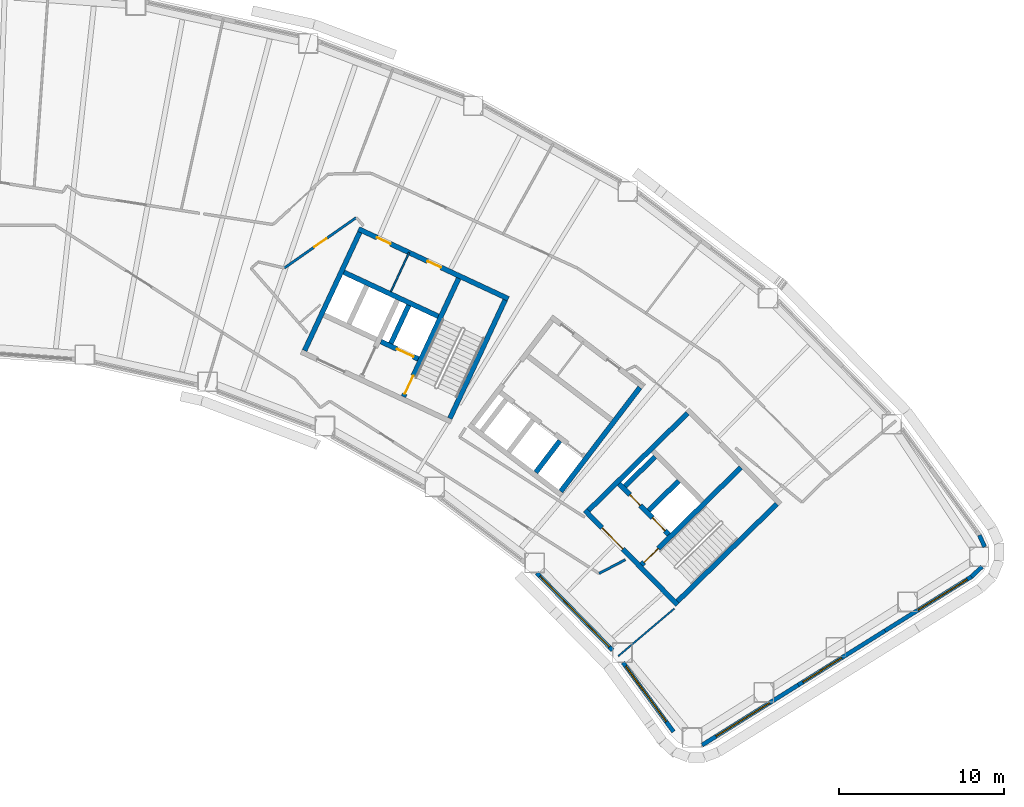
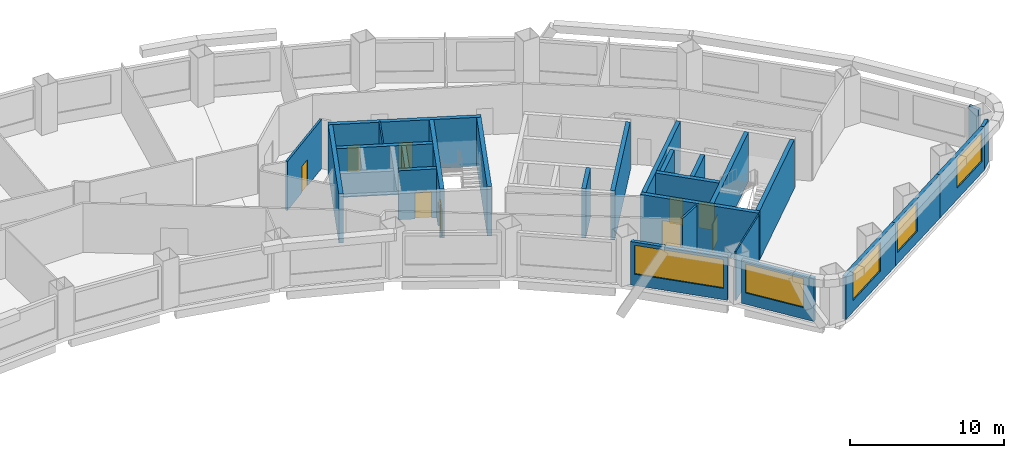
# One storey, part 6 of 11: 27 walls, 9 doors, 5 windows, 14 openings.
"""IFC4 building model written with IfcOpenShell, lengths in metres."""

import ifcopenshell
import ifcopenshell.guid

model = None  # the IFC model being written
_history = None  # IfcOwnerHistory: only IFC2X3 demands one
_inside = {}  # id of a spatial element -> (the spatial element, [elements in it])
_under = {}  # id of a project, library or spatial element -> (it, [spatial elements below it])
_declared = {}  # id of a project -> (the project, [libraries it declares])
_typed = {}  # id of a type object -> (the type object, [elements of that type])
_made_of = {}  # id of a material, layer set ... -> (it, [elements and type objects made of it])


def new_model(schema):
    """Start an empty IFC model of exactly this schema.

    Asked for "IFC4X3", IfcOpenShell would pick the latest addendum, in which some entities
    have other attributes; the version numbers below select the first issue.
    IFC2X3 requires an IfcOwnerHistory on every rooted entity: one is made here for all.
    """
    global model, _history
    if schema == "IFC4X3":
        model = ifcopenshell.file(schema_version=(4, 3, 0, 0))
    else:
        model = ifcopenshell.file(schema=schema)
    _inside.clear()
    _under.clear()
    _declared.clear()
    _typed.clear()
    _made_of.clear()
    _history = None
    if model.schema == "IFC2X3":
        org = make("IfcOrganization", Name="unknown")
        user = make(
            "IfcPersonAndOrganization",
            ThePerson=make("IfcPerson", FamilyName="unknown"),
            TheOrganization=org,
        )
        app = make(
            "IfcApplication",
            ApplicationDeveloper=org,
            Version="unknown",
            ApplicationFullName="unknown",
            ApplicationIdentifier="unknown",
        )
        _history = make(
            "IfcOwnerHistory",
            OwningUser=user,
            OwningApplication=app,
            ChangeAction="ADDED",
            CreationDate=0,
        )
    return model


def make(cls, **values):
    """One entity of the class cls with the attributes given. An attribute that is None is left unset."""
    return model.create_entity(
        cls, **{name: value for name, value in values.items() if value is not None}
    )


def rooted(cls, **values):
    """An entity with a GlobalId (a new one), such as an element, a storey or a relation."""
    return make(cls, GlobalId=ifcopenshell.guid.new(), OwnerHistory=_history, **values)


def si_unit(unit_type, name, prefix=None):
    """IfcSIUnit, for example si_unit("LENGTHUNIT", "METRE", prefix="MILLI")."""
    return make("IfcSIUnit", UnitType=unit_type, Prefix=prefix, Name=name)


def assignment(units):
    """IfcUnitAssignment: the units of a project."""
    return None if units is None else make("IfcUnitAssignment", Units=units)


def point(xyz):
    """IfcCartesianPoint."""
    return None if xyz is None else make("IfcCartesianPoint", Coordinates=xyz)


def direction(xyz):
    """IfcDirection."""
    return None if xyz is None else make("IfcDirection", DirectionRatios=xyz)


def frame(location, z_axis=None, x_axis=None):
    """IfcAxis2Placement3D, a coordinate frame: its origin and axes. An axis left out is left unset."""
    return make(
        "IfcAxis2Placement3D",
        Location=point(location),
        Axis=direction(z_axis),
        RefDirection=direction(x_axis),
    )


def frame_2d(location, x_axis=None):
    """IfcAxis2Placement2D, a coordinate frame in the plane: its origin and x axis."""
    return make(
        "IfcAxis2Placement2D", Location=point(location), RefDirection=direction(x_axis)
    )


def origin():
    """The frame at (0, 0, 0) with its axes left unset."""
    return frame((0.0, 0.0, 0.0))


def place(relative_to, where):
    """IfcLocalPlacement: puts the frame where relative to a parent placement (None: the world)."""
    return make(
        "IfcLocalPlacement", PlacementRelTo=relative_to, RelativePlacement=where
    )


def context(
    kind, dimensions, precision=None, world=None, true_north=None, identifier=None
):
    """IfcGeometricRepresentationContext, for example the 3D "Model" context."""
    return make(
        "IfcGeometricRepresentationContext",
        ContextIdentifier=identifier,
        ContextType=kind,
        CoordinateSpaceDimension=dimensions,
        Precision=precision,
        WorldCoordinateSystem=world,
        TrueNorth=true_north,
    )


def subcontext(parent, identifier, kind, view, scale=None):
    """IfcGeometricRepresentationSubContext, for example "Body" below "Model"."""
    return make(
        "IfcGeometricRepresentationSubContext",
        ContextIdentifier=identifier,
        ContextType=kind,
        ParentContext=parent,
        TargetScale=scale,
        TargetView=view,
    )


def project(units=None, contexts=None):
    """IfcProject with its units and contexts."""
    return rooted(
        "IfcProject",
        Name="project",
        RepresentationContexts=contexts,
        UnitsInContext=assignment(units),
    )


def spatial(cls, under=None, at=None, **own):
    """A site, building, storey or space (cls), placed at a placement, below another one or the project."""
    s = rooted(cls, ObjectPlacement=at, **own)
    if under is not None:
        _under.setdefault(under.id(), (under, []))[1].append(s)
    return s


def profile(cls, at=None, kind="AREA", **sizes):
    """A parametric profile (cls). Its sizes go by their IFC names, for example OverallWidth=200.0."""
    return make(cls, ProfileType=kind, Position=at, **sizes)


def rectangle(**sizes):
    """IfcRectangleProfileDef."""
    return profile("IfcRectangleProfileDef", **sizes)


def extrude(swept, where, along, depth):
    """IfcExtrudedAreaSolid: the profile swept, set in the frame where, extruded along a direction by depth."""
    return make(
        "IfcExtrudedAreaSolid",
        SweptArea=swept,
        Position=where,
        ExtrudedDirection=direction(along),
        Depth=depth,
    )


def shape(context_of_items, identifier, shape_type, items):
    """IfcShapeRepresentation: the items that make up one representation, for example the "Body"."""
    return make(
        "IfcShapeRepresentation",
        ContextOfItems=context_of_items,
        RepresentationIdentifier=identifier,
        RepresentationType=shape_type,
        Items=items,
    )


def material(Name=None, Category=None):
    """IfcMaterial."""
    return make("IfcMaterial", Name=Name, Category=Category)


def layer(
    of_material, thickness, ventilated=None, Name=None, Category=None, Priority=None
):
    """IfcMaterialLayer: one layer of a wall or slab, of a material (None: an air gap)."""
    return make(
        "IfcMaterialLayer",
        Material=of_material,
        LayerThickness=thickness,
        IsVentilated=ventilated,
        Name=Name,
        Category=Category,
        Priority=Priority,
    )


def layer_set(layers, Name=None):
    """IfcMaterialLayerSet."""
    return make("IfcMaterialLayerSet", MaterialLayers=layers, LayerSetName=Name)


def made_of(thing, what):
    """Note that an element or type object is made of a material, layer set ...; save() writes the relation."""
    if what is not None:
        _made_of.setdefault(what.id(), (what, []))[1].append(thing)
    return thing


def type_object(cls, material=None, **own):
    """A type object (cls), such as IfcWallType, which elements share."""
    return made_of(rooted(cls, **own), material)


def element(
    cls,
    number,
    at=None,
    inside=None,
    cuts=None,
    type_object=None,
    material=None,
    context=None,
    identifier="Body",
    shape_type=None,
    held_by="IfcProductDefinitionShape",
    body=None,
    shapes=None,
    **own,
):
    """One element of the class cls, such as IfcWall. Its Tag is "e" and its number.

    at: its placement. inside: the storey or other place that contains it. cuts: it is an
    opening in that element (IfcRelVoidsElement). A single representation is given by context,
    identifier, shape_type and body (its items); several are given by shapes. held_by: the class
    of the entity that holds the representations. save() writes the other relations.
    """
    e = rooted(cls, Tag="e%d" % number, ObjectPlacement=at, **own)
    if body is not None:
        shapes = [shape(context, identifier, shape_type, body)]
    if shapes is not None:
        e.Representation = make(held_by, Representations=shapes)
    if inside is not None:
        _inside.setdefault(inside.id(), (inside, []))[1].append(e)
    if cuts is not None:
        rooted(
            "IfcRelVoidsElement", RelatingBuildingElement=cuts, RelatedOpeningElement=e
        )
    if type_object is not None:
        _typed.setdefault(type_object.id(), (type_object, []))[1].append(e)
    return made_of(e, material)


def fill(opening, filler):
    """IfcRelFillsElement: the door or window that sits in an opening."""
    return rooted(
        "IfcRelFillsElement",
        RelatingOpeningElement=opening,
        RelatedBuildingElement=filler,
    )


def aggregate(whole, parts):
    """IfcRelAggregates: a whole, such as a stair, and the parts it consists of."""
    return rooted("IfcRelAggregates", RelatingObject=whole, RelatedObjects=parts)


def save(model, path):
    """Write the relations noted so far, then the file.

    IfcRelAggregates (storeys below a building ...), IfcRelContainedInSpatialStructure (elements
    in a storey), IfcRelDefinesByType, IfcRelAssociatesMaterial and IfcRelDeclares: one each for
    every whole, place, type object, material and project.
    """
    for whole, parts in _under.values():
        aggregate(whole, parts)
    for where, things in _inside.values():
        rooted(
            "IfcRelContainedInSpatialStructure",
            RelatedElements=things,
            RelatingStructure=where,
        )
    for kind, things in _typed.values():
        rooted("IfcRelDefinesByType", RelatedObjects=things, RelatingType=kind)
    for what, things in _made_of.values():
        rooted("IfcRelAssociatesMaterial", RelatedObjects=things, RelatingMaterial=what)
    for by, libraries in _declared.values():
        rooted("IfcRelDeclares", RelatingContext=by, RelatedDefinitions=libraries)
    model.write(path)


model = new_model("IFC4")

# Units and contexts
model_context = context("Model", 3, precision=1e-05, world=origin(), true_north=direction((0.0, 1.0)))
body_context = subcontext(model_context, "Body", "Model", "MODEL_VIEW")
ifc_project = project(units=[si_unit("LENGTHUNIT", "METRE"), si_unit("AREAUNIT", "SQUARE_METRE"), si_unit("VOLUMEUNIT", "CUBIC_METRE"), si_unit("PLANEANGLEUNIT", "RADIAN"), si_unit("MASSUNIT", "GRAM", prefix="KILO")], contexts=[model_context])

# Site, building, storey
site_placement = place(None, origin())
site = spatial("IfcSite", under=ifc_project, at=site_placement, CompositionType="ELEMENT")
building_placement = place(site_placement, origin())
building = spatial("IfcBuilding", under=site, at=building_placement, Name="Tuul Gate Civic Tower", CompositionType="ELEMENT")
storey_placement = place(building_placement, frame((0.0, 0.0, 69.60009765625)))
storey = spatial("IfcBuildingStorey", under=building, at=storey_placement, Name="Level 15", CompositionType="ELEMENT", Elevation=69.60009765625)

# Wall, opening, door
ifc_material_1 = material(Name="Concrete C50/60", Category="concrete")
ifc_layer_1 = layer(ifc_material_1, 0.300048828125)
ifc_layer_set_1 = layer_set([ifc_layer_1], Name="Concrete C50/60")
wall_type_1 = type_object("IfcWallType", Name="Core wall C50/60", PredefinedType="SHEAR", material=ifc_layer_set_1)
wall_1_placement = place(storey_placement, frame((48.22509765625, -18.327880859375, 0.0), z_axis=(0.0, 0.0, 1.0), x_axis=(-0.700021979774, 0.714121297703, 0.0)))
wall_1 = element("IfcWall", 1, at=wall_1_placement, inside=storey, type_object=wall_type_1, Name="Core wall", PredefinedType="SHEAR", context=body_context, shape_type="SweptSolid", body=[
    extrude(rectangle(XDim=8.0, YDim=0.300048828125, at=frame_2d((4.0, 0.0))), origin(), (0.0, 0.0, 1.0), 3.89990234375),
])
opening_1_placement = place(wall_1_placement, frame((4.72509765625, 0.0, 0.0)))
opening_1 = element("IfcOpeningElement", 2, at=opening_1_placement, cuts=wall_1, Name="Opening LB-E1-LOBBY-1", PredefinedType="OPENING", context=body_context, shape_type="SweptSolid", body=[
    extrude(rectangle(XDim=1.800048828125, YDim=2.10009765625, at=frame_2d((0.89990234375, 1.050048828125))), frame((0.0, 0.16015625, 0.0), z_axis=(0.0, -1.0, 0.0), x_axis=(1.0, 0.0, 0.0)), (0.0, 0.0, 1.0), 0.320068359375),
])
ifc_material_2 = material(Name="Steel", Category="steel")
door_type_1 = type_object("IfcDoorType", Name="Lobby door", OperationType="DOUBLE_DOOR_SINGLE_SWING", PredefinedType="DOOR", material=ifc_material_2)
door_1_placement = place(opening_1_placement, frame((1.800048828125, 0.0, 0.0), z_axis=(0.0, 0.0, 1.0), x_axis=(-1.0, 0.0, 0.0)))
door_1 = element("IfcDoor", 3, at=door_1_placement, inside=storey, type_object=door_type_1, Name="Lobby door E1-LOBBY", OperationType="DOUBLE_DOOR_SINGLE_SWING", OverallHeight=2.10009765625, OverallWidth=1.800048828125, PredefinedType="DOOR", context=body_context, shape_type="SweptSolid", body=[
    extrude(rectangle(XDim=1.800048828125, YDim=2.10009765625, at=frame_2d((0.900146484375, 1.050048828125))), frame((0.0, 0.02490234375, 0.0), z_axis=(0.0, -1.0, 0.0), x_axis=(1.0, 0.0, 0.0)), (0.0, 0.0, 1.0), 0.050048828125),
])
fill(opening_1, door_1)

# Wall, openings, doors
wall_2_placement = place(storey_placement, frame((47.701904296875, -14.079833984375, 0.0), z_axis=(0.0, 0.0, 1.0), x_axis=(-0.700002721075, 0.714140175657, 0.0)))
wall_2 = element("IfcWall", 4, at=wall_2_placement, inside=storey, type_object=wall_type_1, Name="Core wall", PredefinedType="SHEAR", context=body_context, shape_type="SweptSolid", body=[
    extrude(rectangle(XDim=4.300048828125, YDim=0.300048828125, at=frame_2d((2.14990234375, 0.0))), origin(), (0.0, 0.0, 1.0), 3.89990234375),
])
opening_2_placement = place(wall_2_placement, frame((0.324951171875, 0.0, 0.0)))
opening_2 = element("IfcOpeningElement", 5, at=opening_2_placement, cuts=wall_2, Name="Opening LD-L4", PredefinedType="OPENING", context=body_context, shape_type="SweptSolid", body=[
    extrude(rectangle(XDim=1.10009765625, YDim=2.10009765625, at=frame_2d((0.550048828125, 1.050048828125))), frame((0.0, 0.16015625, 0.0), z_axis=(0.0, -1.0, 0.0), x_axis=(1.0, 0.0, 0.0)), (0.0, 0.0, 1.0), 0.320068359375),
])
opening_3_placement = place(wall_2_placement, frame((2.47509765625, 0.0, 0.0)))
opening_3 = element("IfcOpeningElement", 6, at=opening_3_placement, cuts=wall_2, Name="Opening FB-E1A2", PredefinedType="OPENING", context=body_context, shape_type="SweptSolid", body=[
    extrude(rectangle(XDim=0.89990234375, YDim=2.10009765625, at=frame_2d((0.449951171875, 1.050048828125))), frame((0.0, 0.16015625, 0.0), z_axis=(0.0, -1.0, 0.0), x_axis=(1.0, 0.0, 0.0)), (0.0, 0.0, 1.0), 0.320068359375),
])
ifc_material_3 = material(Name="Stainless steel", Category="steel")
door_type_2 = type_object("IfcDoorType", Name="Landing door", OperationType="DOUBLE_DOOR_SLIDING", PredefinedType="DOOR", material=ifc_material_3)
door_2_placement = place(opening_2_placement, origin())
door_2 = element("IfcDoor", 7, at=door_2_placement, inside=storey, type_object=door_type_2, Name="Low-rise lift L4 landing door", OperationType="DOUBLE_DOOR_SLIDING", OverallHeight=2.10009765625, OverallWidth=1.10009765625, PredefinedType="DOOR", context=body_context, shape_type="SweptSolid", body=[
    extrude(rectangle(XDim=1.10009765625, YDim=2.10009765625, at=frame_2d((0.550048828125, 1.050048828125))), frame((0.0, 0.02490234375, 0.0), z_axis=(0.0, -1.0, 0.0), x_axis=(1.0, 0.0, 0.0)), (0.0, 0.0, 1.0), 0.050048828125),
])
fill(opening_2, door_2)
ifc_material_4 = material(Name="Steel", Category="steel")
door_type_3 = type_object("IfcDoorType", Name="Store door", OperationType="NOTDEFINED", PredefinedType="DOOR", material=ifc_material_4)
door_3_placement = place(opening_3_placement, frame((0.89990234375, 0.0, 0.0), z_axis=(0.0, 0.0, 1.0), x_axis=(-1.0, 0.0, 0.0)))
door_3 = element("IfcDoor", 8, at=door_3_placement, inside=storey, type_object=door_type_3, Name="Store door E1A2", OperationType="SINGLE_SWING_LEFT", OverallHeight=2.10009765625, OverallWidth=0.89990234375, PredefinedType="DOOR", context=body_context, shape_type="SweptSolid", body=[
    extrude(rectangle(XDim=0.89990234375, YDim=2.10009765625, at=frame_2d((0.449951171875, 1.050048828125))), frame((0.0, 0.02490234375, 0.0), z_axis=(0.0, -1.0, 0.0), x_axis=(1.0, 0.0, 0.0)), (0.0, 0.0, 1.0), 0.050048828125),
])
fill(opening_3, door_3)

# Wall
wall_3_placement = place(storey_placement, frame((48.227294921875, -18.115966796875, 0.0), z_axis=(0.0, 0.0, 1.0), x_axis=(0.714105315431, 0.700038283577, 0.0)))
element("IfcWall", 9, at=wall_3_placement, inside=storey, type_object=wall_type_1, Name="Core wall", PredefinedType="SHEAR", context=body_context, shape_type="SweptSolid", body=[
    extrude(rectangle(XDim=8.400146484375, YDim=0.300048828125, at=frame_2d((4.2001953125, 0.0))), origin(), (0.0, 0.0, 1.0), 3.89990234375),
])

# Wall, opening, door
wall_4_placement = place(storey_placement, frame((46.05712890625, -15.902099609375, 0.0), z_axis=(0.0, 0.0, 1.0), x_axis=(0.714134086973, 0.700008932674, 0.0)))
wall_4 = element("IfcWall", 10, at=wall_4_placement, inside=storey, type_object=wall_type_1, Name="Core wall", PredefinedType="SHEAR", context=body_context, shape_type="SweptSolid", body=[
    extrude(rectangle(XDim=8.400146484375, YDim=0.300048828125, at=frame_2d((4.2001953125, 0.0))), origin(), (0.0, 0.0, 1.0), 3.89990234375),
])
opening_4_placement = place(wall_4_placement, frame((0.199951171875, 0.0, 0.0)))
opening_4 = element("IfcOpeningElement", 11, at=opening_4_placement, cuts=wall_4, Name="Opening SD-ST-3", PredefinedType="OPENING", context=body_context, shape_type="SweptSolid", body=[
    extrude(rectangle(XDim=1.199951171875, YDim=2.10009765625, at=frame_2d((0.60009765625, 1.050048828125))), frame((0.0, 0.16015625, 0.0), z_axis=(0.0, -1.0, 0.0), x_axis=(1.0, 0.0, 0.0)), (0.0, 0.0, 1.0), 0.320068359375),
])
ifc_material_5 = material(Name="Steel", Category="steel")
door_type_4 = type_object("IfcDoorType", Name="Stair door", OperationType="NOTDEFINED", PredefinedType="DOOR", material=ifc_material_5)
door_4_placement = place(opening_4_placement, origin())
door_4 = element("IfcDoor", 12, at=door_4_placement, inside=storey, type_object=door_type_4, Name="Stair door ST-3", OperationType="SINGLE_SWING_LEFT", OverallHeight=2.10009765625, OverallWidth=1.199951171875, PredefinedType="DOOR", context=body_context, shape_type="SweptSolid", body=[
    extrude(rectangle(XDim=1.199951171875, YDim=2.10009765625, at=frame_2d((0.60009765625, 1.050048828125))), frame((0.0, 0.02490234375, 0.0), z_axis=(0.0, -1.0, 0.0), x_axis=(1.0, 0.0, 0.0)), (0.0, 0.0, 1.0), 0.050048828125),
])
fill(opening_4, door_4)

# Walls
wall_5_placement = place(storey_placement, frame((46.47900390625, -12.617919921875, 0.0), z_axis=(0.0, 0.0, 1.0), x_axis=(0.71410944159, 0.700034074479, 0.0)))
element("IfcWall", 13, at=wall_5_placement, inside=storey, type_object=wall_type_1, Name="Core wall", PredefinedType="SHEAR", context=body_context, shape_type="SweptSolid", body=[
    extrude(rectangle(XDim=2.5498046875, YDim=0.300048828125, at=frame_2d((1.27490234375, 0.0))), origin(), (0.0, 0.0, 1.0), 3.89990234375),
])
wall_6_placement = place(storey_placement, frame((45.0439453125, -11.154052734375, 0.0), z_axis=(0.0, 0.0, 1.0), x_axis=(0.714108498262, 0.700035036773, 0.0)))
element("IfcWall", 14, at=wall_6_placement, inside=storey, type_object=wall_type_1, Name="Core wall", PredefinedType="SHEAR", context=body_context, shape_type="SweptSolid", body=[
    extrude(rectangle(XDim=2.550048828125, YDim=0.300048828125, at=frame_2d((1.27490234375, 0.0))), origin(), (0.0, 0.0, 1.0), 3.89990234375),
])
wall_7_placement = place(storey_placement, frame((42.837158203125, -12.616943359375, 0.0), z_axis=(0.0, 0.0, 1.0), x_axis=(0.714119844755, 0.700023461983, 0.0)))
element("IfcWall", 15, at=wall_7_placement, inside=storey, type_object=wall_type_1, Name="Core wall", PredefinedType="SHEAR", context=body_context, shape_type="SweptSolid", body=[
    extrude(rectangle(XDim=8.39990234375, YDim=0.300048828125, at=frame_2d((4.199951171875, 0.0))), origin(), (0.0, 0.0, 1.0), 3.89990234375),
])

# Wall, opening, door
wall_8_placement = place(storey_placement, frame((32.545654296875, -3.456787109375, 0.0), z_axis=(0.0, 0.0, 1.0), x_axis=(-0.906300357825, 0.42263419337, 0.0)))
wall_8 = element("IfcWall", 16, at=wall_8_placement, inside=storey, type_object=wall_type_1, Name="Core wall", PredefinedType="SHEAR", context=body_context, shape_type="SweptSolid", body=[
    extrude(rectangle(XDim=2.500244140625, YDim=0.300048828125, at=frame_2d((1.25, 0.0))), origin(), (0.0, 0.0, 1.0), 3.89990234375),
])
opening_5_placement = place(wall_8_placement, frame((0.324951171875, 0.0, 0.0)))
opening_5 = element("IfcOpeningElement", 17, at=opening_5_placement, cuts=wall_8, Name="Opening LD-FF-2", PredefinedType="OPENING", context=body_context, shape_type="SweptSolid", body=[
    extrude(rectangle(XDim=1.10009765625, YDim=2.10009765625, at=frame_2d((0.550048828125, 1.050048828125))), frame((0.0, 0.16015625, 0.0), z_axis=(0.0, -1.0, 0.0), x_axis=(1.0, 0.0, 0.0)), (0.0, 0.0, 1.0), 0.320068359375),
])
door_5_placement = place(opening_5_placement, origin())
door_5 = element("IfcDoor", 18, at=door_5_placement, inside=storey, type_object=door_type_2, Name="Fire-fighting lift FF-2 landing door", OperationType="DOUBLE_DOOR_SLIDING", OverallHeight=2.10009765625, OverallWidth=1.10009765625, PredefinedType="DOOR", context=body_context, shape_type="SweptSolid", body=[
    extrude(rectangle(XDim=1.10009765625, YDim=2.10009765625, at=frame_2d((0.550048828125, 1.050048828125))), frame((0.0, 0.02490234375, 0.0), z_axis=(0.0, -1.0, 0.0), x_axis=(1.0, 0.0, 0.0)), (0.0, 0.0, 1.0), 0.050048828125),
])
fill(opening_5, door_5)

# Wall
wall_9_placement = place(storey_placement, frame((33.75, -0.873779296875, 0.0), z_axis=(0.0, 0.0, 1.0), x_axis=(-0.906300917592, 0.422632992999, 0.0)))
element("IfcWall", 19, at=wall_9_placement, inside=storey, type_object=wall_type_1, Name="Core wall", PredefinedType="SHEAR", context=body_context, shape_type="SweptSolid", body=[
    extrude(rectangle(XDim=6.300048828125, YDim=0.300048828125, at=frame_2d((3.14990234375, 0.0))), origin(), (0.0, 0.0, 1.0), 3.89990234375),
])

# Wall, openings, doors
wall_10_placement = place(storey_placement, frame((37.993408203125, 0.181884765625, 0.0), z_axis=(0.0, 0.0, 1.0), x_axis=(-0.906310338845, 0.422612789327, 0.0)))
wall_10 = element("IfcWall", 20, at=wall_10_placement, inside=storey, type_object=wall_type_1, Name="Core wall", PredefinedType="SHEAR", context=body_context, shape_type="SweptSolid", body=[
    extrude(rectangle(XDim=9.999755859375, YDim=0.300048828125, at=frame_2d((5.0, 0.0))), origin(), (0.0, 0.0, 1.0), 3.89990234375),
])
opening_6_placement = place(wall_10_placement, frame((4.487548828125, 0.0, 0.0)))
opening_6 = element("IfcOpeningElement", 21, at=opening_6_placement, cuts=wall_10, Name="Opening D-D27", PredefinedType="OPENING", context=body_context, shape_type="SweptSolid", body=[
    extrude(rectangle(XDim=0.89990234375, YDim=2.10009765625, at=frame_2d((0.449951171875, 1.050048828125))), frame((0.0, 0.16015625, 0.0), z_axis=(0.0, -1.0, 0.0), x_axis=(1.0, 0.0, 0.0)), (0.0, 0.0, 1.0), 0.320068359375),
])
opening_7_placement = place(wall_10_placement, frame((7.862548828125, 0.0, 0.0)))
opening_7 = element("IfcOpeningElement", 22, at=opening_7_placement, cuts=wall_10, Name="Opening D-D28", PredefinedType="OPENING", context=body_context, shape_type="SweptSolid", body=[
    extrude(rectangle(XDim=0.89990234375, YDim=2.10009765625, at=frame_2d((0.449951171875, 1.050048828125))), frame((0.0, 0.16015625, 0.0), z_axis=(0.0, -1.0, 0.0), x_axis=(1.0, 0.0, 0.0)), (0.0, 0.0, 1.0), 0.320068359375),
])
ifc_material_6 = material(Name="Timber door leaf", Category="wood")
door_type_5 = type_object("IfcDoorType", Name="Door D09", OperationType="NOTDEFINED", PredefinedType="DOOR", material=ifc_material_6)
door_6_placement = place(opening_6_placement, origin())
door_6 = element("IfcDoor", 23, at=door_6_placement, inside=storey, type_object=door_type_5, Name="Door D-D27", OperationType="SINGLE_SWING_LEFT", OverallHeight=2.10009765625, OverallWidth=0.89990234375, PredefinedType="DOOR", context=body_context, shape_type="SweptSolid", body=[
    extrude(rectangle(XDim=0.89990234375, YDim=2.10009765625, at=frame_2d((0.449951171875, 1.050048828125))), frame((0.0, 0.02490234375, 0.0), z_axis=(0.0, -1.0, 0.0), x_axis=(1.0, 0.0, 0.0)), (0.0, 0.0, 1.0), 0.050048828125),
])
fill(opening_6, door_6)
door_7_placement = place(opening_7_placement, origin())
door_7 = element("IfcDoor", 24, at=door_7_placement, inside=storey, type_object=door_type_5, Name="Door D-D28", OperationType="SINGLE_SWING_RIGHT", OverallHeight=2.10009765625, OverallWidth=0.89990234375, PredefinedType="DOOR", context=body_context, shape_type="SweptSolid", body=[
    extrude(rectangle(XDim=0.89990234375, YDim=2.10009765625, at=frame_2d((0.449951171875, 1.050048828125))), frame((0.0, 0.02490234375, 0.0), z_axis=(0.0, -1.0, 0.0), x_axis=(1.0, 0.0, 0.0)), (0.0, 0.0, 1.0), 0.050048828125),
])
fill(opening_7, door_7)

# Wall
wall_11_placement = place(storey_placement, frame((34.455810546875, -7.05078125, 0.0), z_axis=(0.0, 0.0, 1.0), x_axis=(0.422570768258, 0.906329932096, 0.0)))
element("IfcWall", 25, at=wall_11_placement, inside=storey, type_object=wall_type_1, Name="Core wall", PredefinedType="SHEAR", context=body_context, shape_type="SweptSolid", body=[
    extrude(rectangle(XDim=7.900146484375, YDim=0.300048828125, at=frame_2d((3.9501953125, 0.0))), origin(), (0.0, 0.0, 1.0), 3.89990234375),
])

# Wall, opening, door
wall_12_placement = place(storey_placement, frame((31.646240234375, -5.740478515625, 0.0), z_axis=(0.0, 0.0, 1.0), x_axis=(0.422582604137, 0.906324413596, 0.0)))
wall_12 = element("IfcWall", 26, at=wall_12_placement, inside=storey, type_object=wall_type_1, Name="Core wall", PredefinedType="SHEAR", context=body_context, shape_type="SweptSolid", body=[
    extrude(rectangle(XDim=7.89990234375, YDim=0.300048828125, at=frame_2d((3.949951171875, 0.0))), origin(), (0.0, 0.0, 1.0), 3.89990234375),
])
opening_8_placement = place(wall_12_placement, frame((0.199951171875, 0.0, 0.0)))
opening_8 = element("IfcOpeningElement", 27, at=opening_8_placement, cuts=wall_12, Name="Opening SD-ST-4", PredefinedType="OPENING", context=body_context, shape_type="SweptSolid", body=[
    extrude(rectangle(XDim=1.199951171875, YDim=2.10009765625, at=frame_2d((0.60009765625, 1.050048828125))), frame((0.0, 0.16015625, 0.0), z_axis=(0.0, -1.0, 0.0), x_axis=(1.0, 0.0, 0.0)), (0.0, 0.0, 1.0), 0.320068359375),
])
door_8_placement = place(opening_8_placement, origin())
door_8 = element("IfcDoor", 28, at=door_8_placement, inside=storey, type_object=door_type_4, Name="Stair door ST-4", OperationType="SINGLE_SWING_LEFT", OverallHeight=2.10009765625, OverallWidth=1.199951171875, PredefinedType="DOOR", context=body_context, shape_type="SweptSolid", body=[
    extrude(rectangle(XDim=1.199951171875, YDim=2.10009765625, at=frame_2d((0.60009765625, 1.050048828125))), frame((0.0, 0.02490234375, 0.0), z_axis=(0.0, -1.0, 0.0), x_axis=(1.0, 0.0, 0.0)), (0.0, 0.0, 1.0), 0.050048828125),
])
fill(opening_8, door_8)

# Walls
wall_13_placement = place(storey_placement, frame((30.886962890625, -2.517822265625, 0.0), z_axis=(0.0, 0.0, 1.0), x_axis=(0.422612891016, 0.906310291427, 0.0)))
element("IfcWall", 29, at=wall_13_placement, inside=storey, type_object=wall_type_1, Name="Core wall", PredefinedType="SHEAR", context=body_context, shape_type="SweptSolid", body=[
    extrude(rectangle(XDim=2.550048828125, YDim=0.300048828125, at=frame_2d((1.27490234375, 0.0))), origin(), (0.0, 0.0, 1.0), 3.89990234375),
])
wall_14_placement = place(storey_placement, frame((25.66455078125, -2.951416015625, 0.0), z_axis=(0.0, 0.0, 1.0), x_axis=(0.422582604137, 0.906324413596, 0.0)))
element("IfcWall", 30, at=wall_14_placement, inside=storey, type_object=wall_type_1, Name="Core wall", PredefinedType="SHEAR", context=body_context, shape_type="SweptSolid", body=[
    extrude(rectangle(XDim=7.89990234375, YDim=0.300048828125, at=frame_2d((3.949951171875, 0.0))), origin(), (0.0, 0.0, 1.0), 3.89990234375),
])
ifc_material_7 = material(Name="Gypsum board partition")
ifc_layer_2 = layer(ifc_material_7, 0.14990234375)
ifc_layer_set_2 = layer_set([ifc_layer_2], Name="Gypsum board partition")
wall_type_2 = type_object("IfcWallType", Name="Corridor wall P150", PredefinedType="PARTITIONING", material=ifc_layer_set_2)
wall_15_placement = place(storey_placement, frame((43.478515625, -16.432373046875, 0.0), z_axis=(0.0, 0.0, 1.0), x_axis=(0.885530725101, 0.464580816331, 0.0)))
element("IfcWall", 31, at=wall_15_placement, inside=storey, type_object=wall_type_2, Name="p041", PredefinedType="PARTITIONING", context=body_context, shape_type="SweptSolid", body=[
    extrude(rectangle(XDim=1.796142578125, YDim=0.14990234375, at=frame_2d((0.89794921875, 0.0))), origin(), (0.0, 0.0, 1.0), 3.89990234375),
])

# Wall, opening, door
wall_16_placement = place(storey_placement, frame((24.44482421875, 2.0478515625, 0.0), z_axis=(0.0, 0.0, 1.0), x_axis=(0.818767170026, 0.574125701644, 0.0)))
wall_16 = element("IfcWall", 32, at=wall_16_placement, inside=storey, type_object=wall_type_2, Name="p057", PredefinedType="PARTITIONING", context=body_context, shape_type="SweptSolid", body=[
    extrude(rectangle(XDim=5.30908203125, YDim=0.14990234375, at=frame_2d((2.654541015625, 0.0))), origin(), (0.0, 0.0, 1.0), 3.89990234375),
])
opening_9_placement = place(wall_16_placement, frame((2.20458984375, 0.0, 0.0)))
opening_9 = element("IfcOpeningElement", 33, at=opening_9_placement, cuts=wall_16, Name="Opening D-D18", PredefinedType="OPENING", context=body_context, shape_type="SweptSolid", body=[
    extrude(rectangle(XDim=0.89990234375, YDim=2.10009765625, at=frame_2d((0.449951171875, 1.050048828125))), frame((0.0, 0.0849609375, 0.0), z_axis=(0.0, -1.0, 0.0), x_axis=(1.0, 0.0, 0.0)), (0.0, 0.0, 1.0), 0.169921875),
])
door_9_placement = place(opening_9_placement, frame((0.89990234375, 0.0, 0.0), z_axis=(0.0, 0.0, 1.0), x_axis=(-1.0, 0.0, 0.0)))
door_9 = element("IfcDoor", 34, at=door_9_placement, inside=storey, type_object=door_type_5, Name="Door D-D18", OperationType="SINGLE_SWING_LEFT", OverallHeight=2.10009765625, OverallWidth=0.89990234375, PredefinedType="DOOR", context=body_context, shape_type="SweptSolid", body=[
    extrude(rectangle(XDim=0.89990234375, YDim=2.10009765625, at=frame_2d((0.449951171875, 1.050048828125))), frame((0.0, 0.02490234375, 0.0), z_axis=(0.0, -1.0, 0.0), x_axis=(1.0, 0.0, 0.0)), (0.0, 0.0, 1.0), 0.050048828125),
])
fill(opening_9, door_9)

# Walls
ifc_material_8 = material(Name="Precast concrete C40/50", Category="concrete")
ifc_layer_3 = layer(ifc_material_8, 0.25)
ifc_layer_set_3 = layer_set([ifc_layer_3], Name="Precast concrete C40/50")
wall_type_3 = type_object("IfcWallType", Name="External wall", PredefinedType="STANDARD", material=ifc_layer_set_3)
wall_17_placement = place(storey_placement, frame((65.99853515625, -16.634765625, 0.0), z_axis=(0.0, 0.0, 1.0), x_axis=(0.722211506859, 0.691672277426, 0.0)))
element("IfcWall", 35, at=wall_17_placement, inside=storey, type_object=wall_type_3, Name="External wall", PredefinedType="STANDARD", context=body_context, shape_type="SweptSolid", body=[
    extrude(rectangle(XDim=0.887451171875, YDim=0.25, at=frame_2d((0.44384765625, 0.0))), origin(), (0.0, 0.0, 1.0), 3.449951171875),
])
wall_18_placement = place(storey_placement, frame((66.803955078125, -14.821044921875, 0.0), z_axis=(0.0, 0.0, 1.0), x_axis=(-0.412280175097, 0.911057109748, 0.0)))
element("IfcWall", 36, at=wall_18_placement, inside=storey, type_object=wall_type_3, Name="External wall", PredefinedType="STANDARD", context=body_context, shape_type="SweptSolid", body=[
    extrude(rectangle(XDim=0.7734375, YDim=0.25, at=frame_2d((0.38671875, 0.0))), origin(), (0.0, 0.0, 1.0), 3.449951171875),
])

# Wall, opening, window
wall_19_placement = place(storey_placement, frame((39.70703125, -16.39599609375, 0.0), z_axis=(0.0, 0.0, 1.0), x_axis=(0.700096771337, -0.714047975114, 0.0)))
wall_19 = element("IfcWall", 37, at=wall_19_placement, inside=storey, type_object=wall_type_3, Name="External wall", PredefinedType="STANDARD", context=body_context, shape_type="SweptSolid", body=[
    extrude(rectangle(XDim=6.544921875, YDim=0.25, at=frame_2d((3.2724609375, 0.0))), origin(), (0.0, 0.0, 1.0), 3.449951171875),
])
opening_10_placement = place(wall_19_placement, frame((0.27490234375, 0.0, 0.89990234375)))
opening_10 = element("IfcOpeningElement", 38, at=opening_10_placement, cuts=wall_19, Name="Opening W26", PredefinedType="OPENING", context=body_context, shape_type="SweptSolid", body=[
    extrude(rectangle(XDim=6.0, YDim=2.300048828125, at=frame_2d((3.0, 1.14990234375))), frame((0.0, 0.135009765625, 0.0), z_axis=(0.0, -1.0, 0.0), x_axis=(1.0, 0.0, 0.0)), (0.0, 0.0, 1.0), 0.27001953125),
])
ifc_material_9 = material(Name="Glass", Category="glass")
window_type_1 = type_object("IfcWindowType", Name="Window W26 6000 x 2300", PartitioningType="SINGLE_PANEL", PredefinedType="WINDOW", material=ifc_material_9)
window_1_placement = place(opening_10_placement, origin())
window_1 = element("IfcWindow", 39, at=window_1_placement, inside=storey, type_object=window_type_1, Name="Window", OverallHeight=2.300048828125, OverallWidth=6.0, PartitioningType="SINGLE_PANEL", PredefinedType="WINDOW", context=body_context, shape_type="SweptSolid", body=[
    extrude(rectangle(XDim=6.0, YDim=2.300048828125, at=frame_2d((3.0, 1.14990234375))), frame((0.0, 0.030029296875, 0.0), z_axis=(0.0, -1.0, 0.0), x_axis=(1.0, 0.0, 0.0)), (0.0, 0.0, 1.0), 0.06005859375),
])
fill(opening_10, window_1)

wall_20_placement = place(storey_placement, frame((44.925537109375, -21.818115234375, 0.0), z_axis=(0.0, 0.0, 1.0), x_axis=(0.589865366451, -0.807501609572, 0.0)))
wall_20 = element("IfcWall", 40, at=wall_20_placement, inside=storey, type_object=wall_type_3, Name="External wall", PredefinedType="STANDARD", context=body_context, shape_type="SweptSolid", body=[
    extrude(rectangle(XDim=5.181396484375, YDim=0.25, at=frame_2d((2.5908203125, 0.0))), origin(), (0.0, 0.0, 1.0), 3.449951171875),
])
opening_11_placement = place(wall_20_placement, frame((0.27880859375, 0.0, 0.89990234375)))
opening_11 = element("IfcOpeningElement", 41, at=opening_11_placement, cuts=wall_20, Name="Opening W25", PredefinedType="OPENING", context=body_context, shape_type="SweptSolid", body=[
    extrude(rectangle(XDim=4.14990234375, YDim=2.300048828125, at=frame_2d((2.074951171875, 1.14990234375))), frame((0.0, 0.135009765625, 0.0), z_axis=(0.0, -1.0, 0.0), x_axis=(1.0, 0.0, 0.0)), (0.0, 0.0, 1.0), 0.27001953125),
])
ifc_material_10 = material(Name="Glass", Category="glass")
window_type_2 = type_object("IfcWindowType", Name="Window W25 4150 x 2300", PartitioningType="SINGLE_PANEL", PredefinedType="WINDOW", material=ifc_material_10)
window_2_placement = place(opening_11_placement, origin())
window_2 = element("IfcWindow", 42, at=window_2_placement, inside=storey, type_object=window_type_2, Name="Window", OverallHeight=2.300048828125, OverallWidth=4.14990234375, PartitioningType="SINGLE_PANEL", PredefinedType="WINDOW", context=body_context, shape_type="SweptSolid", body=[
    extrude(rectangle(XDim=4.14990234375, YDim=2.300048828125, at=frame_2d((2.074951171875, 1.14990234375))), frame((0.0, 0.030029296875, 0.0), z_axis=(0.0, -1.0, 0.0), x_axis=(1.0, 0.0, 0.0)), (0.0, 0.0, 1.0), 0.06005859375),
])
fill(opening_11, window_2)

wall_21_placement = place(storey_placement, frame((49.708984375, -26.810302734375, 0.0), z_axis=(0.0, 0.0, 1.0), x_axis=(0.848044243862, 0.529925429144, 0.0)))
wall_21 = element("IfcWall", 43, at=wall_21_placement, inside=storey, type_object=wall_type_3, Name="External wall", PredefinedType="STANDARD", context=body_context, shape_type="SweptSolid", body=[
    extrude(rectangle(XDim=6.866455078125, YDim=0.25, at=frame_2d((3.43310546875, 0.0))), origin(), (0.0, 0.0, 1.0), 3.449951171875),
])
opening_12_placement = place(wall_21_placement, frame((1.0, 0.0, 0.89990234375)))
opening_12 = element("IfcOpeningElement", 44, at=opening_12_placement, cuts=wall_21, Name="Opening W100", PredefinedType="OPENING", context=body_context, shape_type="SweptSolid", body=[
    extrude(rectangle(XDim=3.800048828125, YDim=2.300048828125, at=frame_2d((1.89990234375, 1.14990234375))), frame((0.0, 0.135009765625, 0.0), z_axis=(0.0, -1.0, 0.0), x_axis=(1.0, 0.0, 0.0)), (0.0, 0.0, 1.0), 0.27001953125),
])
ifc_material_11 = material(Name="Glass", Category="glass")
window_type_3 = type_object("IfcWindowType", Name="Window W100 3800 x 2300", PartitioningType="SINGLE_PANEL", PredefinedType="WINDOW", material=ifc_material_11)
window_3_placement = place(opening_12_placement, origin())
window_3 = element("IfcWindow", 45, at=window_3_placement, inside=storey, type_object=window_type_3, Name="Window", OverallHeight=2.300048828125, OverallWidth=3.800048828125, PartitioningType="SINGLE_PANEL", PredefinedType="WINDOW", context=body_context, shape_type="SweptSolid", body=[
    extrude(rectangle(XDim=3.800048828125, YDim=2.300048828125, at=frame_2d((1.89990234375, 1.14990234375))), frame((0.0, 0.030029296875, 0.0), z_axis=(0.0, -1.0, 0.0), x_axis=(1.0, 0.0, 0.0)), (0.0, 0.0, 1.0), 0.06005859375),
])
fill(opening_12, window_3)

wall_22_placement = place(storey_placement, frame((55.531982421875, -23.171630859375, 0.0), z_axis=(0.0, 0.0, 1.0), x_axis=(0.848053758074, 0.529910203164, 0.0)))
wall_22 = element("IfcWall", 46, at=wall_22_placement, inside=storey, type_object=wall_type_3, Name="External wall", PredefinedType="STANDARD", context=body_context, shape_type="SweptSolid", body=[
    extrude(rectangle(XDim=6.182861328125, YDim=0.25, at=frame_2d((3.09130859375, 0.0))), origin(), (0.0, 0.0, 1.0), 3.449951171875),
])
opening_13_placement = place(wall_22_placement, frame((0.330078125, 0.0, 0.89990234375)))
opening_13 = element("IfcOpeningElement", 47, at=opening_13_placement, cuts=wall_22, Name="Opening W30", PredefinedType="OPENING", context=body_context, shape_type="SweptSolid", body=[
    extrude(rectangle(XDim=2.75, YDim=2.300048828125, at=frame_2d((1.375, 1.14990234375))), frame((0.0, 0.135009765625, 0.0), z_axis=(0.0, -1.0, 0.0), x_axis=(1.0, 0.0, 0.0)), (0.0, 0.0, 1.0), 0.27001953125),
])
ifc_material_12 = material(Name="Glass", Category="glass")
window_type_4 = type_object("IfcWindowType", Name="Window 2750 x 2300", PartitioningType="SINGLE_PANEL", PredefinedType="WINDOW", material=ifc_material_12)
window_4_placement = place(opening_13_placement, origin())
window_4 = element("IfcWindow", 48, at=window_4_placement, inside=storey, type_object=window_type_4, Name="Window", OverallHeight=2.300048828125, OverallWidth=2.75, PartitioningType="SINGLE_PANEL", PredefinedType="WINDOW", context=body_context, shape_type="SweptSolid", body=[
    extrude(rectangle(XDim=2.75, YDim=2.300048828125, at=frame_2d((1.375, 1.14990234375))), frame((0.0, 0.030029296875, 0.0), z_axis=(0.0, -1.0, 0.0), x_axis=(1.0, 0.0, 0.0)), (0.0, 0.0, 1.0), 0.06005859375),
])
fill(opening_13, window_4)

wall_23_placement = place(storey_placement, frame((60.775390625, -19.895263671875, 0.0), z_axis=(0.0, 0.0, 1.0), x_axis=(0.848053758074, 0.529910203164, 0.0)))
wall_23 = element("IfcWall", 49, at=wall_23_placement, inside=storey, type_object=wall_type_3, Name="External wall", PredefinedType="STANDARD", context=body_context, shape_type="SweptSolid", body=[
    extrude(rectangle(XDim=6.182861328125, YDim=0.25, at=frame_2d((3.09130859375, 0.0))), origin(), (0.0, 0.0, 1.0), 3.449951171875),
])
opening_14_placement = place(wall_23_placement, frame((2.364013671875, 0.0, 0.89990234375)))
opening_14 = element("IfcOpeningElement", 50, at=opening_14_placement, cuts=wall_23, Name="Opening W74", PredefinedType="OPENING", context=body_context, shape_type="SweptSolid", body=[
    extrude(rectangle(XDim=3.5, YDim=2.300048828125, at=frame_2d((1.75, 1.14990234375))), frame((0.0, 0.135009765625, 0.0), z_axis=(0.0, -1.0, 0.0), x_axis=(1.0, 0.0, 0.0)), (0.0, 0.0, 1.0), 0.27001953125),
])
ifc_material_13 = material(Name="Glass", Category="glass")
window_type_5 = type_object("IfcWindowType", Name="Window 3500 x 2300", PartitioningType="SINGLE_PANEL", PredefinedType="WINDOW", material=ifc_material_13)
window_5_placement = place(opening_14_placement, origin())
window_5 = element("IfcWindow", 51, at=window_5_placement, inside=storey, type_object=window_type_5, Name="Window", OverallHeight=2.300048828125, OverallWidth=3.5, PartitioningType="SINGLE_PANEL", PredefinedType="WINDOW", context=body_context, shape_type="SweptSolid", body=[
    extrude(rectangle(XDim=3.5, YDim=2.300048828125, at=frame_2d((1.75, 1.14990234375))), frame((0.0, 0.030029296875, 0.0), z_axis=(0.0, -1.0, 0.0), x_axis=(1.0, 0.0, 0.0)), (0.0, 0.0, 1.0), 0.06005859375),
])
fill(opening_14, window_5)

# Walls
ifc_material_14 = material(Name="Concrete C40/50", Category="concrete")
ifc_layer_4 = layer(ifc_material_14, 0.300048828125)
ifc_layer_set_4 = layer_set([ifc_layer_4], Name="Concrete C40/50")
wall_type_4 = type_object("IfcWallType", Name="Lift shaft wall C40/50", PredefinedType="STANDARD", material=ifc_layer_set_4)
wall_24_placement = place(storey_placement, frame((41.163330078125, -11.46728515625, 0.0), z_axis=(0.0, 0.0, 1.0), x_axis=(0.605784332699, 0.795628897324, 0.0)))
element("IfcWall", 52, at=wall_24_placement, inside=storey, type_object=wall_type_4, Name="Shaft wall", PredefinedType="STANDARD", context=body_context, shape_type="SweptSolid", body=[
    extrude(rectangle(XDim=7.89990234375, YDim=0.300048828125, at=frame_2d((3.949951171875, 0.0))), origin(), (0.0, 0.0, 1.0), 3.89990234375),
])
wall_25_placement = place(storey_placement, frame((39.65185546875, -10.31640625, 0.0), z_axis=(0.0, 0.0, 1.0), x_axis=(0.605745892068, 0.79565816419, 0.0)))
element("IfcWall", 53, at=wall_25_placement, inside=storey, type_object=wall_type_4, Name="Shaft wall", PredefinedType="STANDARD", context=body_context, shape_type="SweptSolid", body=[
    extrude(rectangle(XDim=2.400146484375, YDim=0.300048828125, at=frame_2d((1.2001953125, 0.0))), origin(), (0.0, 0.0, 1.0), 3.89990234375),
])
ifc_material_15 = material(Name="Gypsum board partition")
ifc_layer_5 = layer(ifc_material_15, 0.10009765625)
ifc_layer_set_5 = layer_set([ifc_layer_5], Name="Gypsum board partition")
wall_type_5 = type_object("IfcWallType", Name="Partition P100", PredefinedType="PARTITIONING", material=ifc_layer_set_5)
wall_26_placement = place(storey_placement, frame((44.636962890625, -21.431396484375, 0.0), z_axis=(0.0, 0.0, 1.0), x_axis=(0.762857043272, 0.646567190267, 0.0)))
element("IfcWall", 54, at=wall_26_placement, inside=storey, type_object=wall_type_5, Name="p002", PredefinedType="PARTITIONING", context=body_context, shape_type="SweptSolid", body=[
    extrude(rectangle(XDim=4.446533203125, YDim=0.10009765625, at=frame_2d((2.22314453125, 0.0))), origin(), (0.0, 0.0, 1.0), 3.89990234375),
])
wall_27_placement = place(storey_placement, frame((30.890380859375, 0.625, 0.0), z_axis=(0.0, 0.0, 1.0), x_axis=(0.422597606916, 0.906317418253, 0.0)))
element("IfcWall", 55, at=wall_27_placement, inside=storey, type_object=wall_type_5, Name="bE3-BAND-0", PredefinedType="PARTITIONING", context=body_context, shape_type="SweptSolid", body=[
    extrude(rectangle(XDim=2.600341796875, YDim=0.10009765625, at=frame_2d((1.30029296875, 0.0))), origin(), (0.0, 0.0, 1.0), 3.89990234375),
])

save(model, "model.ifc")
